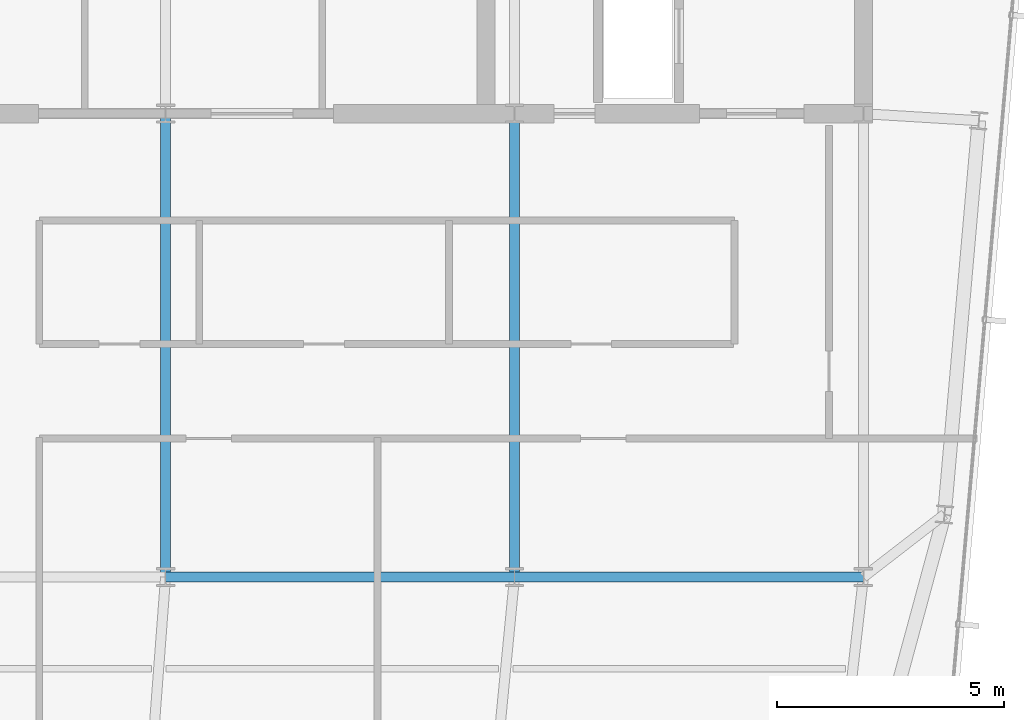
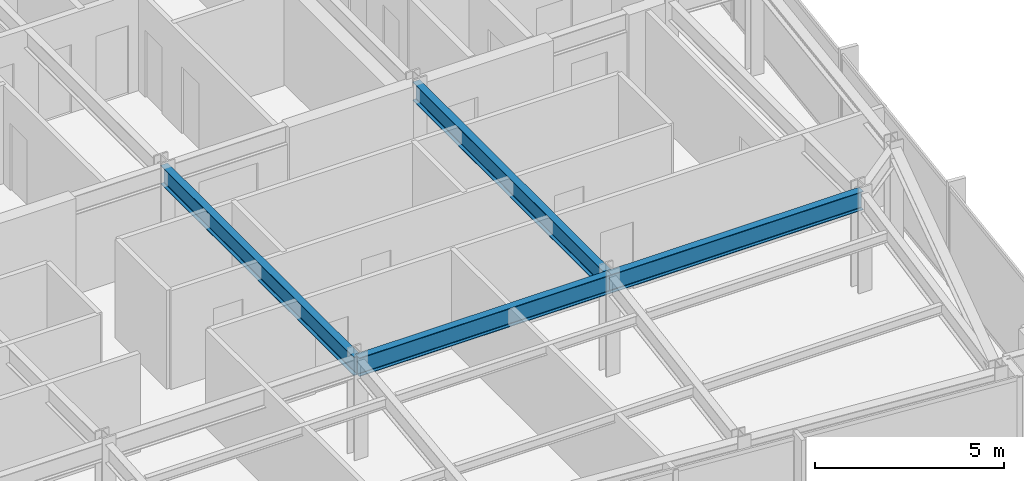
# One storey, part 15 of 32: 4 beams.
"""IFC4 building model written with IfcOpenShell, lengths in metres."""

from ifc_helpers import new_model, si_unit, direction, frame, origin, origin_2d, place, context, subcontext, project, spatial, i_section, extrude, material, material_profile, profile_set, type_object, element, save


model = new_model("IFC4")

# Units and contexts
model_context = context("Model", 3, precision=1e-05, world=origin(), true_north=direction((0.0, 1.0)))
body_context = subcontext(model_context, "Body", "Model", "MODEL_VIEW")
ifc_project = project(units=[si_unit("LENGTHUNIT", "METRE"), si_unit("AREAUNIT", "SQUARE_METRE"), si_unit("VOLUMEUNIT", "CUBIC_METRE"), si_unit("PLANEANGLEUNIT", "RADIAN"), si_unit("MASSUNIT", "GRAM", prefix="KILO")], contexts=[model_context])

# Site, building, storey
site_placement = place(None, origin())
site = spatial("IfcSite", under=ifc_project, at=site_placement, CompositionType="ELEMENT")
building_placement = place(site_placement, origin())
building = spatial("IfcBuilding", under=site, at=building_placement, Name="Yelkora Congress Tower", CompositionType="ELEMENT")
storey_placement = place(building_placement, frame((0.0, 0.0, 269.300048828125)))
storey = spatial("IfcBuildingStorey", under=building, at=storey_placement, Name="L75", CompositionType="ELEMENT", Elevation=269.300048828125)

# Beams
ifc_material = material(Name="Steel S355J2", Category="steel")
ifc_material_profile = material_profile(ifc_material, i_section(OverallWidth=0.219970703125, OverallDepth=0.60009765625, WebThickness=0.011962890625, FlangeThickness=0.01904296875, FilletRadius=0.02392578125, at=origin_2d()), Name="IPE 600")
ifc_profile_set = profile_set([ifc_material_profile], Name="Steel S355J2")
beam_type = type_object("IfcBeamType", Name="BM-GIRD-IPE600", PredefinedType="BEAM", material=ifc_profile_set)
beam_1_placement = place(storey_placement, frame((38.39990234375, 25.199951171875, 2.8798828125), z_axis=(1.0, 0.0, 0.0), x_axis=(0.0, 1.0, 0.0)))
element("IfcBeam", 1, at=beam_1_placement, inside=storey, type_object=beam_type, Name="L75 Spine Grid D Girder 3", PredefinedType="BEAM", context=body_context, shape_type="SweptSolid", body=[
    extrude(i_section(OverallWidth=0.219970703125, OverallDepth=0.60009765625, WebThickness=0.011962890625, FlangeThickness=0.01904296875, FilletRadius=0.02392578125, at=origin_2d()), origin(), (0.0, 0.0, 1.0), 7.68017578125),
])
beam_2_placement = place(storey_placement, frame((46.080078125, 25.199951171875, 2.8798828125), z_axis=(1.0, 0.0, 0.0), x_axis=(0.0, 1.0, 0.0)))
element("IfcBeam", 2, at=beam_2_placement, inside=storey, type_object=beam_type, Name="L75 Spine Grid D Girder 4", PredefinedType="BEAM", context=body_context, shape_type="SweptSolid", body=[
    extrude(i_section(OverallWidth=0.219970703125, OverallDepth=0.60009765625, WebThickness=0.011962890625, FlangeThickness=0.01904296875, FilletRadius=0.02392578125, at=origin_2d()), origin(), (0.0, 0.0, 1.0), 7.679931640625),
])
for number, where, z_axis, x_axis, name in (
    (3, (38.39990234375, 25.199951171875, 2.8798828125), (0.0, 1.0, 0.0), (-1.0, 0.0, 0.0), "L75 Core Tie Girder MC-D3"),
    (4, (46.080078125, 25.199951171875, 2.8798828125), (0.0, 1.0, 0.0), (-1.0, 0.0, 0.0), "L75 Core Tie Girder MC-D4"),
):
    element("IfcBeam", number, at=place(storey_placement, frame(where, z_axis=z_axis, x_axis=x_axis)), inside=storey, type_object=beam_type, Name=name, PredefinedType="BEAM", context=body_context, shape_type="SweptSolid", body=[
        extrude(i_section(OverallWidth=0.219970703125, OverallDepth=0.60009765625, WebThickness=0.011962890625, FlangeThickness=0.01904296875, FilletRadius=0.02392578125, at=origin_2d()), origin(), (0.0, 0.0, 1.0), 10.199951171875),
    ])

save(model, "model.ifc")
